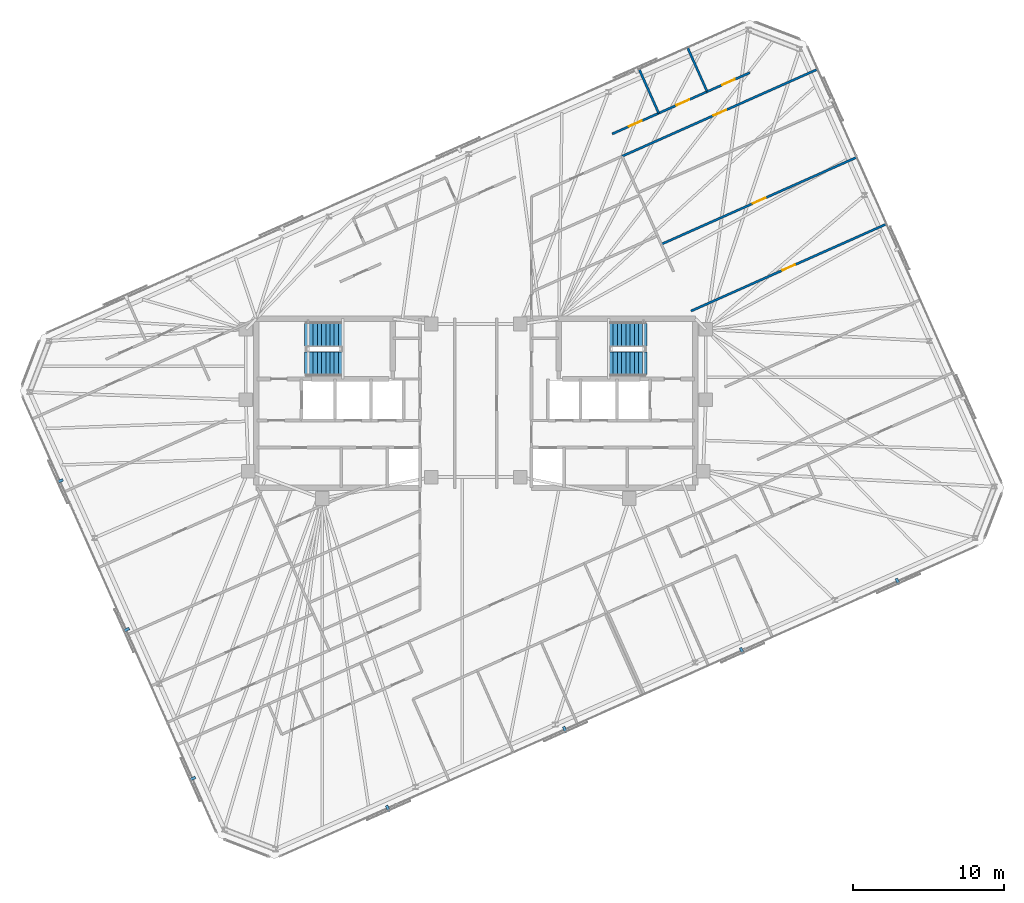
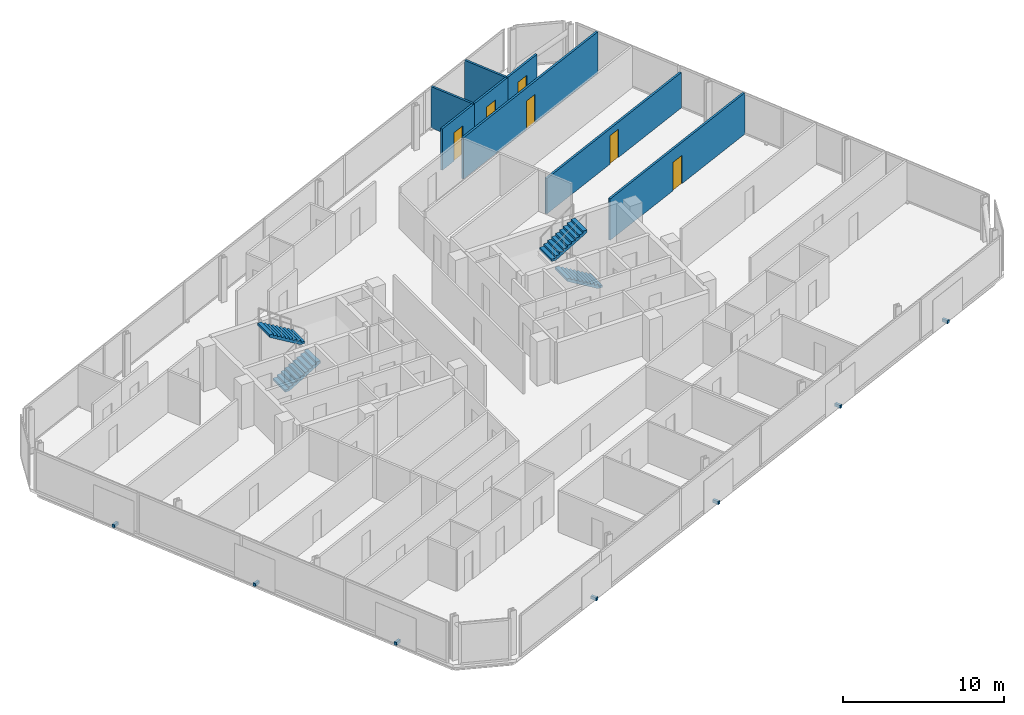
# One storey, part 17 of 19: 8 walls, 7 discrete accessories, 6 doors, 4 stair flights, 6 openings, 2 elements without a shape of their own.
"""IFC4 building model written with IfcOpenShell, lengths in metres."""

from ifc_helpers import new_model, si_unit, direction, frame, frame_2d, origin, origin_2d, place, context, subcontext, project, spatial, polyline, rectangle, outline, extrude, material, layer, layer_set, type_object, element, fill, aggregate, save


model = new_model("IFC4")

# Units and contexts
model_context = context("Model", 3, precision=1e-05, world=origin(), true_north=direction((0.0, 1.0)))
body_context = subcontext(model_context, "Body", "Model", "MODEL_VIEW")
ifc_project = project(units=[si_unit("LENGTHUNIT", "METRE"), si_unit("AREAUNIT", "SQUARE_METRE"), si_unit("VOLUMEUNIT", "CUBIC_METRE"), si_unit("PLANEANGLEUNIT", "RADIAN"), si_unit("MASSUNIT", "GRAM", prefix="KILO")], contexts=[model_context])

# Site, building, storey
site_placement = place(None, origin())
site = spatial("IfcSite", under=ifc_project, at=site_placement, CompositionType="ELEMENT")
building_placement = place(site_placement, origin())
building = spatial("IfcBuilding", under=site, at=building_placement, Name="Menara Jurai Vektor", CompositionType="ELEMENT")
storey_placement = place(building_placement, frame((0.0, 0.0, 281.89990234375)))
storey = spatial("IfcBuildingStorey", under=building, at=storey_placement, Name="L75", CompositionType="ELEMENT", Elevation=281.89990234375)

# Wall, opening, door
ifc_material_1 = material(Name="Gypsum Fireboard Partition", Category="gypsum")
ifc_layer_1 = layer(ifc_material_1, 0.14990234375)
ifc_layer_set_1 = layer_set([ifc_layer_1], Name="Gypsum Fireboard Partition")
wall_type_1 = type_object("IfcWallType", Name="INT-WALL-CORR-150", PredefinedType="PARTITIONING", material=ifc_layer_set_1)
wall_1_placement = place(storey_placement, frame((9.70263671875, 16.37548828125, 0.0), z_axis=(0.0, 0.0, 1.0), x_axis=(0.913544622417, 0.406738519018, 0.0)))
wall_1 = element("IfcWall", 1, at=wall_1_placement, inside=storey, type_object=wall_type_1, Name="Interior Wall IW-150 L75", PredefinedType="PARTITIONING", context=body_context, shape_type="SweptSolid", body=[
    extrude(rectangle(XDim=14.192138671875, YDim=0.14990234375, at=frame_2d((7.09619140625, 0.0))), origin(), (0.0, 0.0, 1.0), 3.125),
])
opening_1_placement = place(wall_1_placement, frame((6.635986328125, 0.0, 0.0)))
opening_1 = element("IfcOpeningElement", 2, at=opening_1_placement, cuts=wall_1, Name="Opening D75-46", PredefinedType="OPENING", context=body_context, shape_type="SweptSolid", body=[
    extrude(rectangle(XDim=0.919921875, YDim=2.14990234375, at=frame_2d((0.4599609375, 1.074951171875))), frame((0.0, 0.0849609375, 0.0), z_axis=(0.0, -1.0, 0.0), x_axis=(1.0, 0.0, 0.0)), (0.0, 0.0, 1.0), 0.169921875),
])
ifc_material_2 = material(Name="Solid Core Timber Fire Door", Category="wood")
door_type = type_object("IfcDoorType", Name="DR-ENTRY-950", OperationType="NOTDEFINED", PredefinedType="DOOR", material=ifc_material_2)
door_1_placement = place(opening_1_placement, origin())
door_1 = element("IfcDoor", 3, at=door_1_placement, inside=storey, type_object=door_type, Name="Interior Door D75-46", OperationType="SINGLE_SWING_LEFT", OverallHeight=2.14990234375, OverallWidth=0.919921875, PredefinedType="DOOR", context=body_context, shape_type="SweptSolid", body=[
    extrude(rectangle(XDim=0.919921875, YDim=2.14990234375, at=frame_2d((0.4599609375, 1.074951171875))), frame((0.0, 0.02490234375, 0.0), z_axis=(0.0, -1.0, 0.0), x_axis=(1.0, 0.0, 0.0)), (0.0, 0.0, 1.0), 0.050048828125),
])
fill(opening_1, door_1)

wall_2_placement = place(storey_placement, frame((9.043701171875, 17.85546875, 0.0), z_axis=(0.0, 0.0, 1.0), x_axis=(0.913554990523, 0.406715231201, 0.0)))
wall_2 = element("IfcWall", 4, at=wall_2_placement, inside=storey, type_object=wall_type_1, Name="Interior Wall IW-150 L75", PredefinedType="PARTITIONING", context=body_context, shape_type="SweptSolid", body=[
    extrude(rectangle(XDim=3.377197265625, YDim=0.14990234375, at=frame_2d((1.6884765625, 0.0))), origin(), (0.0, 0.0, 1.0), 3.125),
])
opening_2_placement = place(wall_2_placement, frame((1.228515625, 0.0, 0.0)))
opening_2 = element("IfcOpeningElement", 5, at=opening_2_placement, cuts=wall_2, Name="Opening D75-47", PredefinedType="OPENING", context=body_context, shape_type="SweptSolid", body=[
    extrude(rectangle(XDim=0.919921875, YDim=2.14990234375, at=frame_2d((0.4599609375, 1.074951171875))), frame((0.0, 0.0849609375, 0.0), z_axis=(0.0, -1.0, 0.0), x_axis=(1.0, 0.0, 0.0)), (0.0, 0.0, 1.0), 0.169921875),
])
door_2_placement = place(opening_2_placement, origin())
door_2 = element("IfcDoor", 6, at=door_2_placement, inside=storey, type_object=door_type, Name="Interior Door D75-47", OperationType="SINGLE_SWING_RIGHT", OverallHeight=2.14990234375, OverallWidth=0.919921875, PredefinedType="DOOR", context=body_context, shape_type="SweptSolid", body=[
    extrude(rectangle(XDim=0.919921875, YDim=2.14990234375, at=frame_2d((0.4599609375, 1.074951171875))), frame((0.0, 0.02490234375, 0.0), z_axis=(0.0, -1.0, 0.0), x_axis=(1.0, 0.0, 0.0)), (0.0, 0.0, 1.0), 0.050048828125),
])
fill(opening_2, door_2)

wall_3_placement = place(storey_placement, frame((12.12890625, 19.22900390625, 0.0), z_axis=(0.0, 0.0, 1.0), x_axis=(0.913545210441, 0.406737198298, 0.0)))
wall_3 = element("IfcWall", 7, at=wall_3_placement, inside=storey, type_object=wall_type_1, Name="Interior Wall IW-150 L75", PredefinedType="PARTITIONING", context=body_context, shape_type="SweptSolid", body=[
    extrude(rectangle(XDim=3.51806640625, YDim=0.14990234375, at=frame_2d((1.759033203125, 0.0))), origin(), (0.0, 0.0, 1.0), 3.125),
])
opening_3_placement = place(wall_3_placement, frame((1.299072265625, 0.0, 0.0)))
opening_3 = element("IfcOpeningElement", 8, at=opening_3_placement, cuts=wall_3, Name="Opening D75-48", PredefinedType="OPENING", context=body_context, shape_type="SweptSolid", body=[
    extrude(rectangle(XDim=0.919921875, YDim=2.14990234375, at=frame_2d((0.4599609375, 1.074951171875))), frame((0.0, 0.0849609375, 0.0), z_axis=(0.0, -1.0, 0.0), x_axis=(1.0, 0.0, 0.0)), (0.0, 0.0, 1.0), 0.169921875),
])
door_3_placement = place(opening_3_placement, origin())
door_3 = element("IfcDoor", 9, at=door_3_placement, inside=storey, type_object=door_type, Name="Interior Door D75-48", OperationType="SINGLE_SWING_LEFT", OverallHeight=2.14990234375, OverallWidth=0.919921875, PredefinedType="DOOR", context=body_context, shape_type="SweptSolid", body=[
    extrude(rectangle(XDim=0.919921875, YDim=2.14990234375, at=frame_2d((0.4599609375, 1.074951171875))), frame((0.0, 0.02490234375, 0.0), z_axis=(0.0, -1.0, 0.0), x_axis=(1.0, 0.0, 0.0)), (0.0, 0.0, 1.0), 0.050048828125),
])
fill(opening_3, door_3)

wall_4_placement = place(storey_placement, frame((15.3427734375, 20.659912109375, 0.0), z_axis=(0.0, 0.0, 1.0), x_axis=(0.913531658173, 0.406767635778, 0.0)))
wall_4 = element("IfcWall", 10, at=wall_4_placement, inside=storey, type_object=wall_type_1, Name="Interior Wall IW-150 L75", PredefinedType="PARTITIONING", context=body_context, shape_type="SweptSolid", body=[
    extrude(rectangle(XDim=3.095703125, YDim=0.14990234375, at=frame_2d((1.5478515625, 0.0))), origin(), (0.0, 0.0, 1.0), 3.125),
])
opening_4_placement = place(wall_4_placement, frame((1.087890625, 0.0, 0.0)))
opening_4 = element("IfcOpeningElement", 11, at=opening_4_placement, cuts=wall_4, Name="Opening D75-49", PredefinedType="OPENING", context=body_context, shape_type="SweptSolid", body=[
    extrude(rectangle(XDim=0.919921875, YDim=2.14990234375, at=frame_2d((0.4599609375, 1.074951171875))), frame((0.0, 0.0849609375, 0.0), z_axis=(0.0, -1.0, 0.0), x_axis=(1.0, 0.0, 0.0)), (0.0, 0.0, 1.0), 0.169921875),
])
door_4_placement = place(opening_4_placement, origin())
door_4 = element("IfcDoor", 12, at=door_4_placement, inside=storey, type_object=door_type, Name="Interior Door D75-49", OperationType="SINGLE_SWING_RIGHT", OverallHeight=2.14990234375, OverallWidth=0.919921875, PredefinedType="DOOR", context=body_context, shape_type="SweptSolid", body=[
    extrude(rectangle(XDim=0.919921875, YDim=2.14990234375, at=frame_2d((0.4599609375, 1.074951171875))), frame((0.0, 0.02490234375, 0.0), z_axis=(0.0, -1.0, 0.0), x_axis=(1.0, 0.0, 0.0)), (0.0, 0.0, 1.0), 0.050048828125),
])
fill(opening_4, door_4)

wall_5_placement = place(storey_placement, frame((14.27197265625, 6.11279296875, 0.0), z_axis=(0.0, 0.0, 1.0), x_axis=(0.913551014388, 0.406724162191, 0.0)))
wall_5 = element("IfcWall", 13, at=wall_5_placement, inside=storey, type_object=wall_type_1, Name="Interior Wall IW-150 L75", PredefinedType="PARTITIONING", context=body_context, shape_type="SweptSolid", body=[
    extrude(rectangle(XDim=14.19189453125, YDim=0.14990234375, at=frame_2d((7.095947265625, 0.0))), origin(), (0.0, 0.0, 1.0), 3.125),
])
opening_5_placement = place(wall_5_placement, frame((6.635986328125, 0.0, 0.0)))
opening_5 = element("IfcOpeningElement", 14, at=opening_5_placement, cuts=wall_5, Name="Opening D75-44", PredefinedType="OPENING", context=body_context, shape_type="SweptSolid", body=[
    extrude(rectangle(XDim=0.919921875, YDim=2.14990234375, at=frame_2d((0.4599609375, 1.074951171875))), frame((0.0, 0.0849609375, 0.0), z_axis=(0.0, -1.0, 0.0), x_axis=(1.0, 0.0, 0.0)), (0.0, 0.0, 1.0), 0.169921875),
])
door_5_placement = place(opening_5_placement, origin())
door_5 = element("IfcDoor", 15, at=door_5_placement, inside=storey, type_object=door_type, Name="Interior Door D75-44", OperationType="SINGLE_SWING_LEFT", OverallHeight=2.14990234375, OverallWidth=0.919921875, PredefinedType="DOOR", context=body_context, shape_type="SweptSolid", body=[
    extrude(rectangle(XDim=0.919921875, YDim=2.14990234375, at=frame_2d((0.4599609375, 1.074951171875))), frame((0.0, 0.02490234375, 0.0), z_axis=(0.0, -1.0, 0.0), x_axis=(1.0, 0.0, 0.0)), (0.0, 0.0, 1.0), 0.050048828125),
])
fill(opening_5, door_5)

# Walls
for number, where, z_axis, x_axis, name in (
    (16, (12.12890625, 19.22900390625, 0.0), (0.0, 0.0, 1.0), (-0.406761717745, 0.913534293268, 0.0), "Interior Wall IW-150 L75"),
    (17, (15.3427734375, 20.659912109375, 0.0), (0.0, 0.0, 1.0), (-0.406761717745, 0.913534293268, 0.0), "Interior Wall IW-150 L75"),
):
    element("IfcWall", number, at=place(storey_placement, frame(where, z_axis=z_axis, x_axis=x_axis)), inside=storey, type_object=wall_type_1, Name=name, PredefinedType="PARTITIONING", context=body_context, shape_type="SweptSolid", body=[
        extrude(rectangle(XDim=3.197998046875, YDim=0.14990234375, at=frame_2d((1.59912109375, 0.0))), origin(), (0.0, 0.0, 1.0), 3.125),
    ])

# Wall, opening, door
ifc_layer_2 = layer(ifc_material_1, 0.14990234375)
ifc_layer_set_2 = layer_set([ifc_layer_2], Name="Gypsum Fireboard Partition")
wall_type_2 = type_object("IfcWallType", Name="INT-WALL-CORR-150-H1", PredefinedType="PARTITIONING", material=ifc_layer_set_2)
wall_6_placement = place(storey_placement, frame((12.30078125, 10.539794921875, 0.0), z_axis=(0.0, 0.0, 1.0), x_axis=(0.913544622417, 0.406738519018, 0.0)))
wall_6 = element("IfcWall", 18, at=wall_6_placement, inside=storey, type_object=wall_type_2, Name="Interior Wall IW-150 L75", PredefinedType="PARTITIONING", context=body_context, shape_type="SweptSolid", body=[
    extrude(rectangle(XDim=14.192138671875, YDim=0.14990234375, at=frame_2d((7.09619140625, 0.0))), origin(), (0.0, 0.0, 1.0), 2.675048828125),
])
opening_6_placement = place(wall_6_placement, frame((6.635986328125, 0.0, 0.0)))
opening_6 = element("IfcOpeningElement", 19, at=opening_6_placement, cuts=wall_6, Name="Opening D75-45", PredefinedType="OPENING", context=body_context, shape_type="SweptSolid", body=[
    extrude(rectangle(XDim=0.919921875, YDim=2.14990234375, at=frame_2d((0.4599609375, 1.074951171875))), frame((0.0, 0.0849609375, 0.0), z_axis=(0.0, -1.0, 0.0), x_axis=(1.0, 0.0, 0.0)), (0.0, 0.0, 1.0), 0.169921875),
])
door_6_placement = place(opening_6_placement, origin())
door_6 = element("IfcDoor", 20, at=door_6_placement, inside=storey, type_object=door_type, Name="Interior Door D75-45", OperationType="SINGLE_SWING_RIGHT", OverallHeight=2.14990234375, OverallWidth=0.919921875, PredefinedType="DOOR", context=body_context, shape_type="SweptSolid", body=[
    extrude(rectangle(XDim=0.919921875, YDim=2.14990234375, at=frame_2d((0.4599609375, 1.074951171875))), frame((0.0, 0.02490234375, 0.0), z_axis=(0.0, -1.0, 0.0), x_axis=(1.0, 0.0, 0.0)), (0.0, 0.0, 1.0), 0.050048828125),
])
fill(opening_6, door_6)

# Stair, stair flights
ifc_material_3 = material(Name="Concrete C40/50", Category="concrete")
stair_type = type_object("IfcStairType", Name="STAIR-DOGLEG-1500", PredefinedType="HALF_TURN_STAIR", material=ifc_material_3)
stair_1_placement = place(storey_placement, origin())
stair_1 = element("IfcStair", 21, at=stair_1_placement, inside=storey, type_object=stair_type, Name="Protected Exit Stair ST1 L75", PredefinedType="HALF_TURN_STAIR")
stair_flight_type = type_object("IfcStairFlightType", Name="STAIR-FLIGHT-1500", PredefinedType="STRAIGHT", material=ifc_material_3)
stair_flight_1_placement = place(storey_placement, frame((-11.35009765625, 2.64990234375, 0.0), z_axis=(0.0, 0.0, 1.0), x_axis=(1.0, 0.0, 0.0)))
stair_flight_1 = element("IfcStairFlight", 22, at=stair_flight_1_placement, type_object=stair_flight_type, Name="ST1 flight 1", NumberOfRisers=10, NumberOfTreads=9, PredefinedType="STRAIGHT", RiserHeight=0.1675, TreadLength=0.28, context=body_context, shape_type="SweptSolid", body=[
    extrude(outline(polyline([(0.0, 0.0), (0.0, 0.16748046875), (0.280029296875, 0.16748046875), (0.280029296875, 0.3349609375), (0.56005859375, 0.3349609375), (0.56005859375, 0.50244140625), (0.840087890625, 0.50244140625), (0.840087890625, 0.669921875), (1.1201171875, 0.669921875), (1.1201171875, 0.83740234375), (1.39990234375, 0.83740234375), (1.39990234375, 1.0048828125), (1.679931640625, 1.0048828125), (1.679931640625, 1.172607421875), (1.9599609375, 1.172607421875), (1.9599609375, 1.340087890625), (2.239990234375, 1.340087890625), (2.239990234375, 1.507568359375), (2.52001953125, 1.507568359375), (2.52001953125, 1.675048828125), (2.52001953125, 1.321044921875), (0.3115234375, 0.0), (0.0, 0.0)])), frame((0.0, 0.75, 0.0), z_axis=(0.0, -1.0, 0.0), x_axis=(1.0, 0.0, 0.0)), (0.0, 0.0, 1.0), 1.5),
])
stair_flight_2_placement = place(storey_placement, frame((-8.830078125, 4.550048828125, 1.675048828125), z_axis=(0.0, 0.0, 1.0), x_axis=(-1.0, 0.0, 0.0)))
stair_flight_2 = element("IfcStairFlight", 23, at=stair_flight_2_placement, type_object=stair_flight_type, Name="ST1 flight 2", NumberOfRisers=10, NumberOfTreads=9, PredefinedType="STRAIGHT", RiserHeight=0.1675, TreadLength=0.28, context=body_context, shape_type="SweptSolid", body=[
    extrude(outline(polyline([(0.0, 0.0), (0.0, 0.16748046875), (0.280029296875, 0.16748046875), (0.280029296875, 0.3349609375), (0.56005859375, 0.3349609375), (0.56005859375, 0.50244140625), (0.840087890625, 0.50244140625), (0.840087890625, 0.669921875), (1.1201171875, 0.669921875), (1.1201171875, 0.83740234375), (1.39990234375, 0.83740234375), (1.39990234375, 1.0048828125), (1.679931640625, 1.0048828125), (1.679931640625, 1.172607421875), (1.9599609375, 1.172607421875), (1.9599609375, 1.340087890625), (2.239990234375, 1.340087890625), (2.239990234375, 1.507568359375), (2.52001953125, 1.507568359375), (2.52001953125, 1.675048828125), (2.52001953125, 1.321044921875), (0.3115234375, 0.0), (0.0, 0.0)])), frame((0.0, 0.75, 0.0), z_axis=(0.0, -1.0, 0.0), x_axis=(1.0, 0.0, 0.0)), (0.0, 0.0, 1.0), 1.5),
])
aggregate(stair_1, [stair_flight_1, stair_flight_2])

stair_2_placement = place(storey_placement, origin())
stair_2 = element("IfcStair", 24, at=stair_2_placement, inside=storey, type_object=stair_type, Name="Protected Exit Stair ST2 L75", PredefinedType="HALF_TURN_STAIR")
stair_flight_3_placement = place(storey_placement, frame((11.35009765625, 2.64990234375, 0.0), z_axis=(0.0, 0.0, 1.0), x_axis=(-1.0, 0.0, 0.0)))
stair_flight_3 = element("IfcStairFlight", 25, at=stair_flight_3_placement, type_object=stair_flight_type, Name="ST2 flight 1", NumberOfRisers=10, NumberOfTreads=9, PredefinedType="STRAIGHT", RiserHeight=0.1675, TreadLength=0.28, context=body_context, shape_type="SweptSolid", body=[
    extrude(outline(polyline([(0.0, 0.0), (0.0, 0.16748046875), (0.280029296875, 0.16748046875), (0.280029296875, 0.3349609375), (0.56005859375, 0.3349609375), (0.56005859375, 0.50244140625), (0.840087890625, 0.50244140625), (0.840087890625, 0.669921875), (1.1201171875, 0.669921875), (1.1201171875, 0.83740234375), (1.39990234375, 0.83740234375), (1.39990234375, 1.0048828125), (1.679931640625, 1.0048828125), (1.679931640625, 1.172607421875), (1.9599609375, 1.172607421875), (1.9599609375, 1.340087890625), (2.239990234375, 1.340087890625), (2.239990234375, 1.507568359375), (2.52001953125, 1.507568359375), (2.52001953125, 1.675048828125), (2.52001953125, 1.321044921875), (0.3115234375, 0.0), (0.0, 0.0)])), frame((0.0, 0.75, 0.0), z_axis=(0.0, -1.0, 0.0), x_axis=(1.0, 0.0, 0.0)), (0.0, 0.0, 1.0), 1.5),
])
stair_flight_4_placement = place(storey_placement, frame((8.830078125, 4.550048828125, 1.675048828125), z_axis=(0.0, 0.0, 1.0), x_axis=(1.0, 0.0, 0.0)))
stair_flight_4 = element("IfcStairFlight", 26, at=stair_flight_4_placement, type_object=stair_flight_type, Name="ST2 flight 2", NumberOfRisers=10, NumberOfTreads=9, PredefinedType="STRAIGHT", RiserHeight=0.1675, TreadLength=0.28, context=body_context, shape_type="SweptSolid", body=[
    extrude(outline(polyline([(0.0, 0.0), (0.0, 0.16748046875), (0.280029296875, 0.16748046875), (0.280029296875, 0.3349609375), (0.56005859375, 0.3349609375), (0.56005859375, 0.50244140625), (0.840087890625, 0.50244140625), (0.840087890625, 0.669921875), (1.1201171875, 0.669921875), (1.1201171875, 0.83740234375), (1.39990234375, 0.83740234375), (1.39990234375, 1.0048828125), (1.679931640625, 1.0048828125), (1.679931640625, 1.172607421875), (1.9599609375, 1.172607421875), (1.9599609375, 1.340087890625), (2.239990234375, 1.340087890625), (2.239990234375, 1.507568359375), (2.52001953125, 1.507568359375), (2.52001953125, 1.675048828125), (2.52001953125, 1.321044921875), (0.3115234375, 0.0), (0.0, 0.0)])), frame((0.0, 0.75, 0.0), z_axis=(0.0, -1.0, 0.0), x_axis=(1.0, 0.0, 0.0)), (0.0, 0.0, 1.0), 1.5),
])
aggregate(stair_2, [stair_flight_3, stair_flight_4])

# Discrete accessories
ifc_material_4 = material(Name="Steel S355", Category="steel")
discrete_accessory_type = type_object("IfcDiscreteAccessoryType", Name="ENV-ACC-BRACKET", PredefinedType="BRACKET", material=ifc_material_4)
for number, where, z_axis, x_axis, name in (
    (27, (-5.8330078125, -26.87451171875, -0.1298828125), (0.0, 0.0, 1.0), (0.913545457643, 0.406736643076, 0.0), "Solar Screen Stand-Off Bracket L75-S01"),
    (28, (5.906005859375, -21.648193359375, -0.1298828125), (0.0, 0.0, 1.0), (0.913545457643, 0.406736643076, 0.0), "Solar Screen Stand-Off Bracket L75-S02"),
    (29, (17.64501953125, -16.42138671875, -0.1298828125), (0.0, 0.0, 1.0), (0.913545457643, 0.406736643076, 0.0), "Solar Screen Stand-Off Bracket L75-S03"),
    (30, (27.975341796875, -11.822021484375, -0.1298828125), (0.0, 0.0, 1.0), (0.913545457643, 0.406736643076, 0.0), "Solar Screen Stand-Off Bracket L75-S04"),
    (31, (-27.57666015625, -5.165771484375, -0.1298828125), (0.0, 0.0, 1.0), (0.406736643076, -0.913545457643, 0.0), "Solar Screen Stand-Off Bracket L75-S12"),
    (32, (-23.183837890625, -15.031982421875, -0.1298828125), (0.0, 0.0, 1.0), (0.406736643076, -0.913545457643, 0.0), "Solar Screen Stand-Off Bracket L75-S13"),
    (33, (-18.791259765625, -24.898193359375, -0.1298828125), (0.0, 0.0, 1.0), (0.406736643076, -0.913545457643, 0.0), "Solar Screen Stand-Off Bracket L75-S14"),
):
    element("IfcDiscreteAccessory", number, at=place(storey_placement, frame(where, z_axis=z_axis, x_axis=x_axis)), inside=storey, type_object=discrete_accessory_type, Name=name, PredefinedType="BRACKET", context=body_context, shape_type="SweptSolid", body=[
        extrude(rectangle(XDim=0.179931640625, YDim=0.43994140625, at=origin_2d()), origin(), (0.0, 0.0, 1.0), 0.219970703125),
    ])

save(model, "model.ifc")
